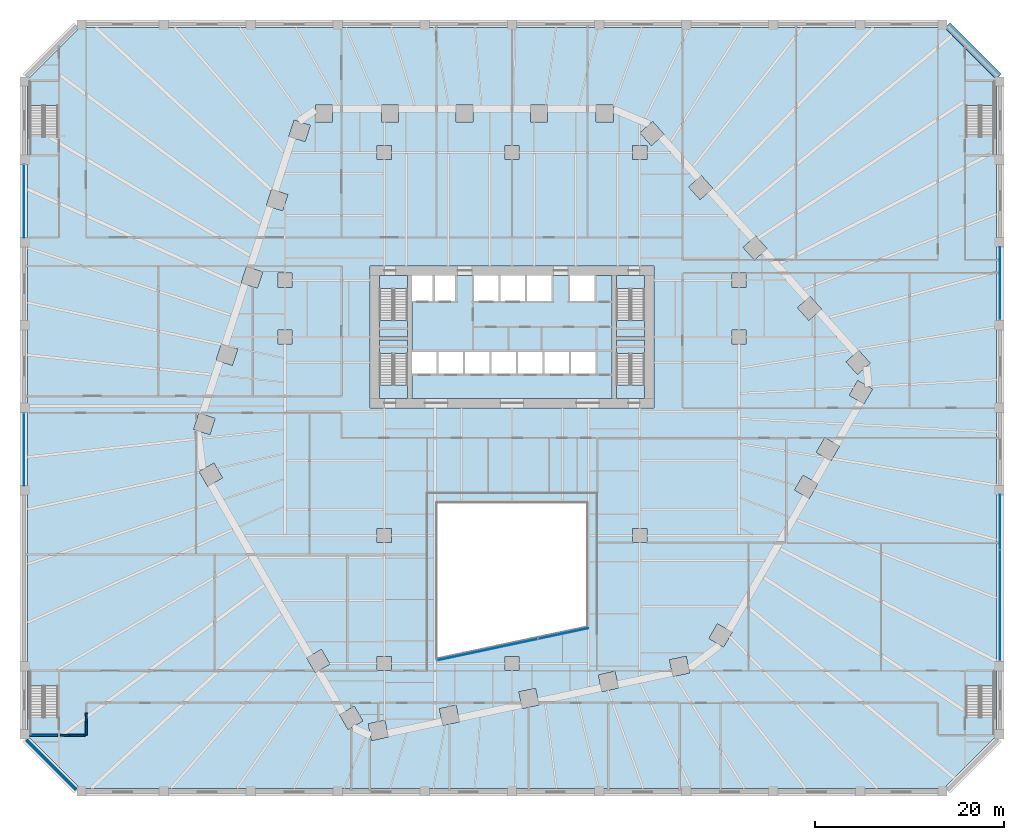
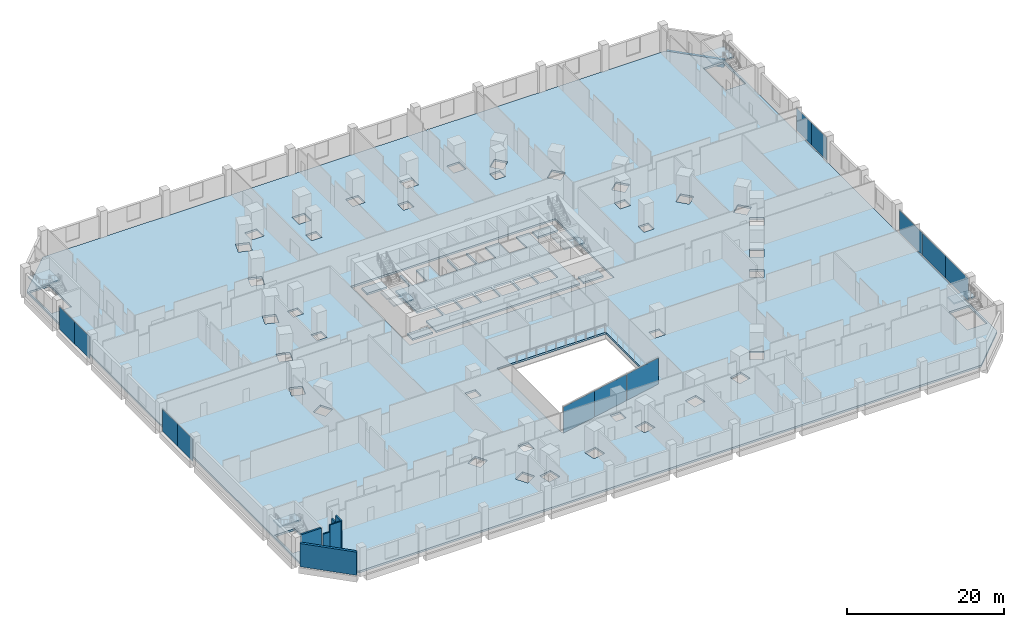
# One storey, part 13 of 29: 14 slabs, 12 plates, 6 walls, 1 beam, 13 elements without a shape of their own.
"""IFC4 building model written with IfcOpenShell, lengths in metres."""

from ifc_helpers import new_model, si_unit, direction, frame, frame_2d, origin, origin_2d, place, context, subcontext, project, spatial, polyline, rectangle, outline, extrude, material, layer, layer_set, material_profile, profile_set, type_object, element, aggregate, save


model = new_model("IFC4")

# Units and contexts
model_context = context("Model", 3, precision=1e-05, world=origin(), true_north=direction((0.0, 1.0)))
body_context = subcontext(model_context, "Body", "Model", "MODEL_VIEW")
ifc_project = project(units=[si_unit("LENGTHUNIT", "METRE"), si_unit("AREAUNIT", "SQUARE_METRE"), si_unit("VOLUMEUNIT", "CUBIC_METRE"), si_unit("PLANEANGLEUNIT", "RADIAN"), si_unit("MASSUNIT", "GRAM", prefix="KILO")], contexts=[model_context])

# Site, building, storey
site_placement = place(None, origin())
site = spatial("IfcSite", under=ifc_project, at=site_placement, CompositionType="ELEMENT")
building_placement = place(site_placement, origin())
building = spatial("IfcBuilding", under=site, at=building_placement, Name="Isthmus Gate Tower", CompositionType="ELEMENT")
storey_placement = place(building_placement, frame((0.0, 0.0, 27.0)))
storey = spatial("IfcBuildingStorey", under=building, at=storey_placement, Name="L04", CompositionType="ELEMENT", Elevation=27.0)

# Beam
ifc_material_1 = material(Name="Concrete f'c 70 MPa", Category="concrete")
ifc_material_profile = material_profile(ifc_material_1, rectangle(XDim=0.800048828125, YDim=0.89990234375, at=origin_2d()), Name="RC 800X900")
ifc_profile_set = profile_set([ifc_material_profile], Name="Concrete f'c 70 MPa")
beam_type = type_object("IfcBeamType", Name="RC EDGE BEAM 800 X 900", PredefinedType="BEAM", material=ifc_profile_set)
beam_placement = place(storey_placement, frame((46.0, 40.434326171875, -0.75), z_axis=(0.707106781187, -0.707106781187, 0.0), x_axis=(0.707106781187, 0.707106781187, 0.0)))
element("IfcBeam", 1, at=beam_placement, inside=storey, type_object=beam_type, Name="str-edgebeam-L04-19", PredefinedType="BEAM", context=body_context, shape_type="SweptSolid", body=[
    extrude(rectangle(XDim=0.800048828125, YDim=0.89990234375, at=origin_2d()), origin(), (0.0, 0.0, 1.0), 7.685302734375),
])

# Slabs
ifc_material_2 = material(Name="Concrete f'c 40 MPa", Category="concrete")
ifc_layer_1 = layer(ifc_material_2, 0.300048828125)
ifc_layer_set_1 = layer_set([ifc_layer_1], Name="CORE FLOOR SLAB 300")
slab_type_1 = type_object("IfcSlabType", Name="CORE FLOOR SLAB 300", PredefinedType="FLOOR", material=ifc_layer_set_1)
slab_1_placement = place(storey_placement, frame((0.0, 0.0, -0.300048828125)))
element("IfcSlab", 2, at=slab_1_placement, inside=storey, type_object=slab_type_1, Name="L04 core floor", PredefinedType="FLOOR", context=body_context, shape_type="SweptSolid", body=[
    extrude(outline(polyline([(-11.050048828125, 1.0), (-11.050048828125, 2.402099609375), (-14.0, 2.402099609375), (-14.0, 1.0), (-11.050048828125, 1.0)])), origin(), (0.0, 0.0, 1.0), 0.300048828125),
])
slab_2_placement = place(storey_placement, frame((0.0, 0.0, -0.300048828125)))
element("IfcSlab", 3, at=slab_2_placement, inside=storey, type_object=slab_type_1, Name="L04 core floor", PredefinedType="FLOOR", context=body_context, shape_type="SweptSolid", body=[
    extrude(outline(polyline([(-14.0, 14.0), (-14.0, 12.597900390625), (-11.050048828125, 12.597900390625), (-11.050048828125, 14.0), (-14.0, 14.0)])), origin(), (0.0, 0.0, 1.0), 0.300048828125),
])
slab_3_placement = place(storey_placement, frame((0.0, 0.0, -0.300048828125)))
element("IfcSlab", 4, at=slab_3_placement, inside=storey, type_object=slab_type_1, Name="L04 core floor", PredefinedType="FLOOR", context=body_context, shape_type="SweptSolid", body=[
    extrude(outline(polyline([(10.550048828125, 14.0), (8.699951171875, 14.0), (8.699951171875, 11.300048828125), (6.14990234375, 11.300048828125), (6.14990234375, 14.0), (4.14990234375, 14.0), (4.14990234375, 11.300048828125), (1.60009765625, 11.300048828125), (1.60009765625, 14.0), (1.35009765625, 14.0), (1.35009765625, 11.300048828125), (-1.199951171875, 11.300048828125), (-1.199951171875, 14.0), (-1.449951171875, 14.0), (-1.449951171875, 11.300048828125), (-4.0, 11.300048828125), (-4.0, 14.0), (-6.0, 14.0), (-6.0, 11.300048828125), (-8.14990234375, 11.300048828125), (-8.14990234375, 14.0), (-8.39990234375, 14.0), (-8.39990234375, 11.300048828125), (-10.550048828125, 11.300048828125), (-10.550048828125, 5.89990234375), (-8.0, 5.89990234375), (-8.0, 3.60009765625), (-10.550048828125, 3.60009765625), (-10.550048828125, 1.0), (10.550048828125, 1.0), (10.550048828125, 14.0)]), holes=[polyline([(-5.199951171875, 5.89990234375), (-5.199951171875, 3.60009765625), (-7.75, 3.60009765625), (-7.75, 5.89990234375), (-5.199951171875, 5.89990234375)]), polyline([(-2.39990234375, 5.89990234375), (-2.39990234375, 3.60009765625), (-4.949951171875, 3.60009765625), (-4.949951171875, 5.89990234375), (-2.39990234375, 5.89990234375)]), polyline([(0.39990234375, 5.89990234375), (0.39990234375, 3.60009765625), (-2.14990234375, 3.60009765625), (-2.14990234375, 5.89990234375), (0.39990234375, 5.89990234375)]), polyline([(3.199951171875, 5.89990234375), (3.199951171875, 3.60009765625), (0.64990234375, 3.60009765625), (0.64990234375, 5.89990234375), (3.199951171875, 5.89990234375)]), polyline([(6.0, 5.89990234375), (6.0, 3.60009765625), (3.449951171875, 3.60009765625), (3.449951171875, 5.89990234375), (6.0, 5.89990234375)]), polyline([(8.800048828125, 5.89990234375), (8.800048828125, 3.60009765625), (6.25, 3.60009765625), (6.25, 5.89990234375), (8.800048828125, 5.89990234375)])]), origin(), (0.0, 0.0, 1.0), 0.300048828125),
])
slab_4_placement = place(storey_placement, frame((0.0, 0.0, -0.300048828125)))
element("IfcSlab", 5, at=slab_4_placement, inside=storey, type_object=slab_type_1, Name="L04 core floor", PredefinedType="FLOOR", context=body_context, shape_type="SweptSolid", body=[
    extrude(outline(polyline([(14.0, 1.0), (14.0, 2.402099609375), (11.050048828125, 2.402099609375), (11.050048828125, 1.0), (14.0, 1.0)])), origin(), (0.0, 0.0, 1.0), 0.300048828125),
])
slab_5_placement = place(storey_placement, frame((0.0, 0.0, -0.300048828125)))
element("IfcSlab", 6, at=slab_5_placement, inside=storey, type_object=slab_type_1, Name="L04 core floor", PredefinedType="FLOOR", context=body_context, shape_type="SweptSolid", body=[
    extrude(outline(polyline([(11.050048828125, 14.0), (11.050048828125, 12.597900390625), (14.0, 12.597900390625), (14.0, 14.0), (11.050048828125, 14.0)])), origin(), (0.0, 0.0, 1.0), 0.300048828125),
])

# Curtain wall, plates
ifc_material_3 = material(Name="Aluminium, pale champagne anodised", Category="aluminium")
ifc_layer_2 = layer(ifc_material_3, 0.14990234375)
ifc_layer_set_2 = layer_set([ifc_layer_2], Name="CW-3 STOREFRONT CURTAIN WALL 150 DEEP")
curtain_wall_type_1 = type_object("IfcCurtainWallType", Name="CW-3 STOREFRONT CURTAIN WALL 150 DEEP", PredefinedType="NOTDEFINED", material=ifc_layer_set_2)
curtain_wall_1_placement = place(storey_placement, origin())
curtain_wall_1 = element("IfcCurtainWall", 7, at=curtain_wall_1_placement, inside=storey, type_object=curtain_wall_type_1, Name="CW-3 E L04", PredefinedType="NOTDEFINED")
ifc_material_4 = material(Name="Laminated low-iron glass, clear", Category="glass")
ifc_layer_3 = layer(ifc_material_4, 0.028076171875)
ifc_layer_set_3 = layer_set([ifc_layer_3], Name="CW-3 CLEAR GLASS LITE 28")
plate_type_1 = type_object("IfcPlateType", Name="CW-3 CLEAR GLASS LITE 28", PredefinedType="CURTAIN_PANEL", material=ifc_layer_set_3)
plate_1_placement = place(storey_placement, frame((51.574951171875, -23.836669921875, -0.300048828125), z_axis=(0.0, 0.0, 1.0), x_axis=(0.0, 1.0, 0.0)))
plate_1 = element("IfcPlate", 8, at=plate_1_placement, type_object=plate_type_1, Name="CW-3 glass lite", PredefinedType="CURTAIN_PANEL", context=body_context, shape_type="SweptSolid", body=[
    extrude(rectangle(XDim=5.806640625, YDim=0.028076171875, at=origin_2d()), origin(), (0.0, 0.0, 1.0), 3.47998046875),
])
plate_2_placement = place(storey_placement, frame((51.574951171875, -18.0, -0.300048828125), z_axis=(0.0, 0.0, 1.0), x_axis=(0.0, 1.0, 0.0)))
plate_2 = element("IfcPlate", 9, at=plate_2_placement, type_object=plate_type_1, Name="CW-3 glass lite", PredefinedType="CURTAIN_PANEL", context=body_context, shape_type="SweptSolid", body=[
    extrude(rectangle(XDim=5.86669921875, YDim=0.028076171875, at=origin_2d()), origin(), (0.0, 0.0, 1.0), 3.47998046875),
])
plate_3_placement = place(storey_placement, frame((51.574951171875, -12.103271484375, -0.300048828125), z_axis=(0.0, 0.0, 1.0), x_axis=(0.0, 1.0, 0.0)))
plate_3 = element("IfcPlate", 10, at=plate_3_placement, type_object=plate_type_1, Name="CW-3 glass lite", PredefinedType="CURTAIN_PANEL", context=body_context, shape_type="SweptSolid", body=[
    extrude(rectangle(XDim=5.806640625, YDim=0.028076171875, at=origin_2d()), origin(), (0.0, 0.0, 1.0), 3.47998046875),
])
aggregate(curtain_wall_1, [plate_1, plate_2, plate_3])

curtain_wall_2_placement = place(storey_placement, origin())
curtain_wall_2 = element("IfcCurtainWall", 11, at=curtain_wall_2_placement, inside=storey, type_object=curtain_wall_type_1, Name="CW-3 E L04", PredefinedType="NOTDEFINED")
plate_4_placement = place(storey_placement, frame((51.574951171875, 11.217529296875, -0.300048828125), z_axis=(0.0, 0.0, 1.0), x_axis=(0.0, 1.0, 0.0)))
plate_4 = element("IfcPlate", 12, at=plate_4_placement, type_object=plate_type_1, Name="CW-3 glass lite", PredefinedType="CURTAIN_PANEL", context=body_context, shape_type="SweptSolid", body=[
    extrude(rectangle(XDim=3.81494140625, YDim=0.028076171875, at=origin_2d()), origin(), (0.0, 0.0, 1.0), 3.47998046875),
])
plate_5_placement = place(storey_placement, frame((51.574951171875, 15.0625, -0.300048828125), z_axis=(0.0, 0.0, 1.0), x_axis=(0.0, 1.0, 0.0)))
plate_5 = element("IfcPlate", 13, at=plate_5_placement, type_object=plate_type_1, Name="CW-3 glass lite", PredefinedType="CURTAIN_PANEL", context=body_context, shape_type="SweptSolid", body=[
    extrude(rectangle(XDim=3.875, YDim=0.028076171875, at=origin_2d()), origin(), (0.0, 0.0, 1.0), 3.47998046875),
])
aggregate(curtain_wall_2, [plate_4, plate_5])

curtain_wall_3_placement = place(storey_placement, origin())
curtain_wall_3 = element("IfcCurtainWall", 14, at=curtain_wall_3_placement, inside=storey, type_object=curtain_wall_type_1, Name="CW-3 W L04", PredefinedType="NOTDEFINED")
plate_6_placement = place(storey_placement, frame((-51.574951171875, 23.782470703125, -0.300048828125), z_axis=(0.0, 0.0, 1.0), x_axis=(0.0, -1.0, 0.0)))
plate_6 = element("IfcPlate", 15, at=plate_6_placement, type_object=plate_type_1, Name="CW-3 glass lite", PredefinedType="CURTAIN_PANEL", context=body_context, shape_type="SweptSolid", body=[
    extrude(rectangle(XDim=3.81494140625, YDim=0.028076171875, at=origin_2d()), origin(), (0.0, 0.0, 1.0), 3.47998046875),
])
plate_7_placement = place(storey_placement, frame((-51.574951171875, 19.9375, -0.300048828125), z_axis=(0.0, 0.0, 1.0), x_axis=(0.0, -1.0, 0.0)))
plate_7 = element("IfcPlate", 16, at=plate_7_placement, type_object=plate_type_1, Name="CW-3 glass lite", PredefinedType="CURTAIN_PANEL", context=body_context, shape_type="SweptSolid", body=[
    extrude(rectangle(XDim=3.875, YDim=0.028076171875, at=origin_2d()), origin(), (0.0, 0.0, 1.0), 3.47998046875),
])
aggregate(curtain_wall_3, [plate_6, plate_7])

curtain_wall_4_placement = place(storey_placement, origin())
curtain_wall_4 = element("IfcCurtainWall", 17, at=curtain_wall_4_placement, inside=storey, type_object=curtain_wall_type_1, Name="CW-3 W L04", PredefinedType="NOTDEFINED")
plate_8_placement = place(storey_placement, frame((-51.574951171875, -2.455078125, -0.300048828125), z_axis=(0.0, 0.0, 1.0), x_axis=(0.0, -1.0, 0.0)))
plate_8 = element("IfcPlate", 18, at=plate_8_placement, type_object=plate_type_1, Name="CW-3 glass lite", PredefinedType="CURTAIN_PANEL", context=body_context, shape_type="SweptSolid", body=[
    extrude(rectangle(XDim=3.7900390625, YDim=0.028076171875, at=origin_2d()), origin(), (0.0, 0.0, 1.0), 3.47998046875),
])
plate_9_placement = place(storey_placement, frame((-51.574951171875, -6.27490234375, -0.300048828125), z_axis=(0.0, 0.0, 1.0), x_axis=(0.0, -1.0, 0.0)))
plate_9 = element("IfcPlate", 19, at=plate_9_placement, type_object=plate_type_1, Name="CW-3 glass lite", PredefinedType="CURTAIN_PANEL", context=body_context, shape_type="SweptSolid", body=[
    extrude(rectangle(XDim=3.85009765625, YDim=0.028076171875, at=origin_2d()), origin(), (0.0, 0.0, 1.0), 3.47998046875),
])
aggregate(curtain_wall_4, [plate_8, plate_9])

ifc_material_5 = material(Name="Aluminium, pale champagne anodised", Category="aluminium")
ifc_layer_4 = layer(ifc_material_5, 0.199951171875)
ifc_layer_set_4 = layer_set([ifc_layer_4], Name="CW-4 ATRIUM CURTAIN WALL 200 DEEP")
curtain_wall_type_2 = type_object("IfcCurtainWallType", Name="CW-4 ATRIUM CURTAIN WALL 200 DEEP", PredefinedType="NOTDEFINED", material=ifc_layer_set_4)
curtain_wall_5_placement = place(storey_placement, origin())
curtain_wall_5 = element("IfcCurtainWall", 20, at=curtain_wall_5_placement, inside=storey, type_object=curtain_wall_type_2, Name="CW-4 atrium south L04", PredefinedType="NOTDEFINED")
ifc_material_6 = material(Name="Laminated low-iron glass, clear", Category="glass")
ifc_layer_5 = layer(ifc_material_6, 0.0439453125)
ifc_layer_set_5 = layer_set([ifc_layer_5], Name="CW-4 ATRIUM GLASS PANEL 44")
plate_type_2 = type_object("IfcPlateType", Name="CW-4 ATRIUM GLASS PANEL 44", PredefinedType="CURTAIN_PANEL", material=ifc_layer_set_5)
plate_10_placement = place(storey_placement, frame((-5.262939453125, -26.11572265625, 0.0), z_axis=(0.0, 0.0, 1.0), x_axis=(0.978147600734, 0.207911690818, 0.0)))
plate_10 = element("IfcPlate", 21, at=plate_10_placement, type_object=plate_type_2, Name="CW-4 louvre panel", PredefinedType="CURTAIN_PANEL", context=body_context, shape_type="SweptSolid", body=[
    extrude(rectangle(XDim=5.37255859375, YDim=0.0439453125, at=origin_2d()), origin(), (0.0, 0.0, 1.0), 4.050048828125),
])
plate_11_placement = place(storey_placement, frame((0.03125, -24.990234375, 0.0), z_axis=(0.0, 0.0, 1.0), x_axis=(0.978147600734, 0.207911690818, 0.0)))
plate_11 = element("IfcPlate", 22, at=plate_11_placement, type_object=plate_type_2, Name="CW-4 louvre panel", PredefinedType="CURTAIN_PANEL", context=body_context, shape_type="SweptSolid", body=[
    extrude(rectangle(XDim=5.452392578125, YDim=0.0439453125, at=origin_2d()), origin(), (0.0, 0.0, 1.0), 4.050048828125),
])
plate_12_placement = place(storey_placement, frame((5.403564453125, -23.848388671875, 0.0), z_axis=(0.0, 0.0, 1.0), x_axis=(0.978147600734, 0.207911690818, 0.0)))
plate_12 = element("IfcPlate", 23, at=plate_12_placement, type_object=plate_type_2, Name="CW-4 louvre panel", PredefinedType="CURTAIN_PANEL", context=body_context, shape_type="SweptSolid", body=[
    extrude(rectangle(XDim=5.37255859375, YDim=0.0439453125, at=origin_2d()), origin(), (0.0, 0.0, 1.0), 4.050048828125),
])
aggregate(curtain_wall_5, [plate_10, plate_11, plate_12])

# Slab
ifc_material_7 = material(Name="Concrete f'c 40 MPa", Category="concrete")
ifc_layer_6 = layer(ifc_material_7, 0.300048828125)
ifc_layer_set_6 = layer_set([ifc_layer_6], Name="PODIUM FLOOR SLAB 300")
slab_type_2 = type_object("IfcSlabType", Name="PODIUM FLOOR SLAB 300", PredefinedType="FLOOR", material=ifc_layer_set_6)
slab_6_placement = place(storey_placement, frame((0.0, 0.0, -0.300048828125)))
element("IfcSlab", 24, at=slab_6_placement, inside=storey, type_object=slab_type_2, Name="str-slab-L04-1", PredefinedType="FLOOR", context=body_context, shape_type="SweptSolid", body=[
    extrude(outline(polyline([(-51.199951171875, -34.668701171875), (-51.199951171875, 34.668701171875), (-45.668701171875, 40.199951171875), (45.668701171875, 40.199951171875), (51.199951171875, 34.668701171875), (51.199951171875, -34.668701171875), (45.668701171875, -40.199951171875), (-45.668701171875, -40.199951171875), (-51.199951171875, -34.668701171875)]), holes=[polyline([(-13.06494140625, -34.777099609375), (-13.439208984375, -33.016357421875), (-15.19970703125, -33.390625), (-14.82568359375, -35.1513671875), (-13.06494140625, -34.777099609375)]), polyline([(-17.32470703125, -33.99267578125), (-15.765869140625, -33.0927734375), (-16.666015625, -31.533935546875), (-18.224609375, -32.433837890625), (-17.32470703125, -33.99267578125)]), polyline([(-48.0, -32.52490234375), (-48.0, -27.928955078125), (-50.949951171875, -27.928955078125), (-50.949951171875, -32.52490234375), (-48.0, -32.52490234375)]), polyline([(-21.696533203125, -26.420654296875), (-20.79638671875, -27.9794921875), (-19.237548828125, -27.079345703125), (-20.1376953125, -25.5205078125), (-21.696533203125, -26.420654296875)]), polyline([(-31.5048828125, -5.831787109375), (-33.063720703125, -6.73193359375), (-32.163818359375, -8.290771484375), (-30.60498046875, -7.390869140625), (-31.5048828125, -5.831787109375)]), polyline([(-33.08984375, -0.548828125), (-33.64599609375, -2.2607421875), (-31.93408203125, -2.817138671875), (-31.3779296875, -1.105224609375), (-33.08984375, -0.548828125)]), polyline([(-30.7138671875, 6.76416015625), (-31.27001953125, 5.052001953125), (-29.55810546875, 4.495849609375), (-29.001953125, 6.207763671875), (-30.7138671875, 6.76416015625)]), polyline([(-24.75, 8.25), (-24.75, 6.75), (-23.25, 6.75), (-23.25, 8.25), (-24.75, 8.25)]), polyline([(-24.75, 12.75), (-23.25, 12.75), (-23.25, 14.25), (-24.75, 14.25), (-24.75, 12.75)]), polyline([(-26.34765625, 14.376708984375), (-28.0595703125, 14.93310546875), (-28.61572265625, 13.22119140625), (-26.90380859375, 12.664794921875), (-26.34765625, 14.376708984375)]), polyline([(-23.693359375, 22.545654296875), (-25.4052734375, 23.10205078125), (-25.96142578125, 21.389892578125), (-24.24951171875, 20.833740234375), (-23.693359375, 22.545654296875)]), polyline([(-14.25, 26.25), (-12.75, 26.25), (-12.75, 27.75), (-14.25, 27.75), (-14.25, 26.25)]), polyline([(-23.585205078125, 28.702880859375), (-21.873291015625, 28.146728515625), (-21.317138671875, 29.858642578125), (-23.029052734375, 30.4150390625), (-23.585205078125, 28.702880859375)]), polyline([(-20.776123046875, 32.0), (-20.776123046875, 30.199951171875), (-18.976318359375, 30.199951171875), (-18.976318359375, 32.0), (-20.776123046875, 32.0)]), polyline([(-50.949951171875, 28.824951171875), (-48.0, 28.824951171875), (-48.0, 34.425048828125), (-50.949951171875, 34.425048828125), (-50.949951171875, 28.824951171875)]), polyline([(-7.30419921875, -33.552490234375), (-5.543701171875, -33.17822265625), (-5.917724609375, -31.417724609375), (-7.678466796875, -31.7919921875), (-7.30419921875, -33.552490234375)]), polyline([(2.858154296875, -31.392578125), (2.48388671875, -29.6318359375), (0.72314453125, -30.006103515625), (1.097412109375, -31.7666015625), (2.858154296875, -31.392578125)]), polyline([(9.4990234375, -29.98095703125), (11.259765625, -29.606689453125), (10.885498046875, -27.845947265625), (9.124755859375, -28.22021484375), (9.4990234375, -29.98095703125)]), polyline([(-14.25, -26.25), (-14.25, -27.75), (-12.75, -27.75), (-12.75, -26.25), (-14.25, -26.25)]), polyline([(-0.75, -27.75), (0.75, -27.75), (0.75, -26.25), (-0.75, -26.25), (-0.75, -27.75)]), polyline([(-8.0, -10.0), (-8.0, -26.544189453125), (8.0, -23.143310546875), (8.0, -10.0), (-8.0, -10.0)]), polyline([(-14.25, -12.75), (-14.25, -14.25), (-12.75, -14.25), (-12.75, -12.75), (-14.25, -12.75)]), polyline([(12.75, -14.25), (14.25, -14.25), (14.25, -12.75), (12.75, -12.75), (12.75, -14.25)]), polyline([(15.0, 0.0), (15.0, 15.0), (-15.0, 15.0), (-15.0, 0.0), (15.0, 0.0)]), polyline([(-0.75, 26.25), (0.75, 26.25), (0.75, 27.75), (-0.75, 27.75), (-0.75, 26.25)]), polyline([(12.75, 27.75), (12.75, 26.25), (14.25, 26.25), (14.25, 27.75), (12.75, 27.75)]), polyline([(-12.006591796875, 30.199951171875), (-12.006591796875, 32.0), (-13.806640625, 32.0), (-13.806640625, 30.199951171875), (-12.006591796875, 30.199951171875)]), polyline([(-4.13720703125, 32.0), (-5.937255859375, 32.0), (-5.937255859375, 30.199951171875), (-4.13720703125, 30.199951171875), (-4.13720703125, 32.0)]), polyline([(3.732421875, 30.199951171875), (3.732421875, 32.0), (1.932373046875, 32.0), (1.932373046875, 30.199951171875), (3.732421875, 30.199951171875)]), polyline([(10.701904296875, 30.199951171875), (10.701904296875, 32.0), (8.90185546875, 32.0), (8.90185546875, 30.199951171875), (10.701904296875, 30.199951171875)]), polyline([(50.949951171875, -32.52490234375), (50.949951171875, -27.928955078125), (48.0, -27.928955078125), (48.0, -32.52490234375), (50.949951171875, -32.52490234375)]), polyline([(17.020263671875, -28.382080078125), (18.781005859375, -28.008056640625), (18.40673828125, -26.247314453125), (16.64599609375, -26.62158203125), (17.020263671875, -28.382080078125)]), polyline([(22.36181640625, -25.26806640625), (23.261962890625, -23.709228515625), (21.702880859375, -22.80908203125), (20.802978515625, -24.3681640625), (22.36181640625, -25.26806640625)]), polyline([(32.319580078125, -8.0205078125), (30.760986328125, -7.12060546875), (29.86083984375, -8.679443359375), (31.419677734375, -9.579345703125), (32.319580078125, -8.0205078125)]), polyline([(34.6162109375, -4.04296875), (33.057373046875, -3.14306640625), (32.1572265625, -4.701904296875), (33.71630859375, -5.601806640625), (34.6162109375, -4.04296875)]), polyline([(37.200927734375, 0.433837890625), (38.100830078125, 1.99267578125), (36.5419921875, 2.892578125), (35.64208984375, 1.333984375), (37.200927734375, 0.433837890625)]), polyline([(36.51708984375, 3.531982421875), (37.854736328125, 4.736328125), (36.650146484375, 6.073974609375), (35.3125, 4.869384765625), (36.51708984375, 3.531982421875)]), polyline([(23.25, 8.25), (23.25, 6.75), (24.75, 6.75), (24.75, 8.25), (23.25, 8.25)]), polyline([(31.505126953125, 11.788330078125), (30.16748046875, 10.583740234375), (31.371826171875, 9.24609375), (32.70947265625, 10.45068359375), (31.505126953125, 11.788330078125)]), polyline([(23.25, 14.25), (23.25, 12.75), (24.75, 12.75), (24.75, 14.25), (23.25, 14.25)]), polyline([(25.62451171875, 15.62939453125), (26.962158203125, 16.833740234375), (25.7578125, 18.17138671875), (24.419921875, 16.967041015625), (25.62451171875, 15.62939453125)]), polyline([(21.214599609375, 23.216796875), (20.01025390625, 24.554443359375), (18.672607421875, 23.35009765625), (19.877197265625, 22.012451171875), (21.214599609375, 23.216796875)]), polyline([(16.069580078125, 28.93115234375), (14.864990234375, 30.268798828125), (13.52734375, 29.064453125), (14.73193359375, 27.726806640625), (16.069580078125, 28.93115234375)]), polyline([(48.0, 28.824951171875), (50.949951171875, 28.824951171875), (50.949951171875, 34.425048828125), (48.0, 34.425048828125), (48.0, 28.824951171875)])]), origin(), (0.0, 0.0, 1.0), 0.300048828125),
])

# Stair, slab
ifc_material_8 = material(Name="Concrete f'c 40 MPa", Category="concrete")
stair_type_1 = type_object("IfcStairType", Name="Podium exit stair 1400 wide flights", PredefinedType="HALF_TURN_STAIR", material=ifc_material_8)
stair_1_placement = place(storey_placement, origin())
stair_1 = element("IfcStair", 25, at=stair_1_placement, inside=storey, type_object=stair_type_1, Name="L04 Podium Exit Stair ST3", PredefinedType="HALF_TURN_STAIR")
ifc_material_9 = material(Name="Concrete f'c 40 MPa", Category="concrete")
ifc_layer_7 = layer(ifc_material_9, 0.199951171875)
ifc_layer_set_7 = layer_set([ifc_layer_7], Name="Podium stair landing 200")
slab_type_3 = type_object("IfcSlabType", Name="Podium stair landing 200", PredefinedType="LANDING", material=ifc_layer_set_7)
slab_7_placement = place(storey_placement, frame((0.0, 0.0, 2.050048828125)))
slab_7 = element("IfcSlab", 26, at=slab_7_placement, type_object=slab_type_3, Name="ST3 landing 1", PredefinedType="LANDING", context=body_context, shape_type="SweptSolid", body=[
    extrude(outline(polyline([(-47.89990234375, -29.364990234375), (-47.89990234375, -27.72900390625), (-51.050048828125, -27.72900390625), (-51.050048828125, -29.364990234375), (-47.89990234375, -29.364990234375)])), origin(), (0.0, 0.0, 1.0), 0.199951171875),
])
aggregate(stair_1, [slab_7])

stair_2_placement = place(storey_placement, origin())
stair_2 = element("IfcStair", 27, at=stair_2_placement, inside=storey, type_object=stair_type_1, Name="L04 Podium Exit Stair ST4", PredefinedType="HALF_TURN_STAIR")
slab_8_placement = place(storey_placement, frame((0.0, 0.0, 2.050048828125)))
slab_8 = element("IfcSlab", 28, at=slab_8_placement, type_object=slab_type_3, Name="ST4 landing 1", PredefinedType="LANDING", context=body_context, shape_type="SweptSolid", body=[
    extrude(outline(polyline([(51.050048828125, -29.364990234375), (51.050048828125, -27.72900390625), (47.89990234375, -27.72900390625), (47.89990234375, -29.364990234375), (51.050048828125, -29.364990234375)])), origin(), (0.0, 0.0, 1.0), 0.199951171875),
])
aggregate(stair_2, [slab_8])

stair_3_placement = place(storey_placement, origin())
stair_3 = element("IfcStair", 29, at=stair_3_placement, inside=storey, type_object=stair_type_1, Name="L04 Podium Exit Stair ST5", PredefinedType="HALF_TURN_STAIR")
slab_9_placement = place(storey_placement, frame((0.0, 0.0, 2.050048828125)))
slab_9 = element("IfcSlab", 30, at=slab_9_placement, type_object=slab_type_3, Name="ST5 landing 1", PredefinedType="LANDING", context=body_context, shape_type="SweptSolid", body=[
    extrude(outline(polyline([(51.050048828125, 31.985107421875), (51.050048828125, 34.625), (47.89990234375, 34.625), (47.89990234375, 31.985107421875), (51.050048828125, 31.985107421875)])), origin(), (0.0, 0.0, 1.0), 0.199951171875),
])
aggregate(stair_3, [slab_9])

stair_4_placement = place(storey_placement, origin())
stair_4 = element("IfcStair", 31, at=stair_4_placement, inside=storey, type_object=stair_type_1, Name="L04 Podium Exit Stair ST6", PredefinedType="HALF_TURN_STAIR")
slab_10_placement = place(storey_placement, frame((0.0, 0.0, 2.050048828125)))
slab_10 = element("IfcSlab", 32, at=slab_10_placement, type_object=slab_type_3, Name="ST6 landing 1", PredefinedType="LANDING", context=body_context, shape_type="SweptSolid", body=[
    extrude(outline(polyline([(-47.89990234375, 31.985107421875), (-47.89990234375, 34.625), (-51.050048828125, 34.625), (-51.050048828125, 31.985107421875), (-47.89990234375, 31.985107421875)])), origin(), (0.0, 0.0, 1.0), 0.199951171875),
])
aggregate(stair_4, [slab_10])

ifc_material_10 = material(Name="Concrete f'c 40 MPa", Category="concrete")
stair_type_2 = type_object("IfcStairType", Name="CORE STAIR 26 RISERS", PredefinedType="HALF_TURN_STAIR", material=ifc_material_10)
stair_5_placement = place(storey_placement, origin())
stair_5 = element("IfcStair", 33, at=stair_5_placement, inside=storey, type_object=stair_type_2, Name="L04 Exit Stair 1", PredefinedType="HALF_TURN_STAIR")
ifc_material_11 = material(Name="Concrete f'c 40 MPa", Category="concrete")
ifc_layer_8 = layer(ifc_material_11, 0.199951171875)
ifc_layer_set_8 = layer_set([ifc_layer_8])
slab_type_4 = type_object("IfcSlabType", Name="STAIR LANDING RC 200", PredefinedType="LANDING", material=ifc_layer_set_8)
slab_11_placement = place(storey_placement, frame((0.0, 0.0, 2.050048828125)))
slab_11 = element("IfcSlab", 34, at=slab_11_placement, type_object=slab_type_4, Name="ST1 landing 1", PredefinedType="LANDING", context=body_context, shape_type="SweptSolid", body=[
    extrude(outline(polyline([(-14.0, 9.239990234375), (-14.0, 7.5), (-11.050048828125, 7.5), (-11.050048828125, 9.239990234375), (-14.0, 9.239990234375)])), origin(), (0.0, 0.0, 1.0), 0.199951171875),
])
aggregate(stair_5, [slab_11])

stair_6_placement = place(storey_placement, origin())
stair_6 = element("IfcStair", 35, at=stair_6_placement, inside=storey, type_object=stair_type_2, Name="L04 Exit Stair 2", PredefinedType="HALF_TURN_STAIR")
slab_12_placement = place(storey_placement, frame((0.0, 0.0, 2.050048828125)))
slab_12 = element("IfcSlab", 36, at=slab_12_placement, type_object=slab_type_4, Name="ST2 landing 1", PredefinedType="LANDING", context=body_context, shape_type="SweptSolid", body=[
    extrude(outline(polyline([(11.050048828125, 9.239990234375), (11.050048828125, 7.5), (14.0, 7.5), (14.0, 9.239990234375), (11.050048828125, 9.239990234375)])), origin(), (0.0, 0.0, 1.0), 0.199951171875),
])
aggregate(stair_6, [slab_12])

stair_7_placement = place(storey_placement, origin())
stair_7 = element("IfcStair", 37, at=stair_7_placement, inside=storey, type_object=stair_type_2, Name="L04 Exit Stair 7", PredefinedType="HALF_TURN_STAIR")
slab_13_placement = place(storey_placement, frame((0.0, 0.0, 2.050048828125)))
slab_13 = element("IfcSlab", 38, at=slab_13_placement, type_object=slab_type_4, Name="ST7 landing 1", PredefinedType="LANDING", context=body_context, shape_type="SweptSolid", body=[
    extrude(outline(polyline([(-11.050048828125, 5.760009765625), (-11.050048828125, 7.199951171875), (-14.0, 7.199951171875), (-14.0, 5.760009765625), (-11.050048828125, 5.760009765625)])), origin(), (0.0, 0.0, 1.0), 0.199951171875),
])
aggregate(stair_7, [slab_13])

stair_8_placement = place(storey_placement, origin())
stair_8 = element("IfcStair", 39, at=stair_8_placement, inside=storey, type_object=stair_type_2, Name="L04 Exit Stair 8", PredefinedType="HALF_TURN_STAIR")
slab_14_placement = place(storey_placement, frame((0.0, 0.0, 2.050048828125)))
slab_14 = element("IfcSlab", 40, at=slab_14_placement, type_object=slab_type_4, Name="ST8 landing 1", PredefinedType="LANDING", context=body_context, shape_type="SweptSolid", body=[
    extrude(outline(polyline([(14.0, 5.760009765625), (14.0, 7.199951171875), (11.050048828125, 7.199951171875), (11.050048828125, 5.760009765625), (14.0, 5.760009765625)])), origin(), (0.0, 0.0, 1.0), 0.199951171875),
])
aggregate(stair_8, [slab_14])

# Walls
ifc_material_12 = material(Name="Concrete f'c 30 MPa", Category="concrete")
ifc_layer_9 = layer(ifc_material_12, 0.199951171875)
ifc_layer_set_9 = layer_set([ifc_layer_9], Name="Fire-rated block wall 200")
wall_type_1 = type_object("IfcWallType", Name="Fire-rated block wall 200", PredefinedType="PARTITIONING", material=ifc_layer_set_9)
wall_1_placement = place(storey_placement, frame((-47.75, -34.60009765625, 0.0), z_axis=(0.0, 0.0, 1.0), x_axis=(1.0, 0.0, 0.0)))
element("IfcWall", 41, at=wall_1_placement, inside=storey, type_object=wall_type_1, Name="Fire-rated wall", PredefinedType="PARTITIONING", context=body_context, shape_type="SweptSolid", body=[
    extrude(rectangle(XDim=1.0, YDim=0.199951171875, at=frame_2d((0.5, 0.0))), origin(), (0.0, 0.0, 1.0), 3.111083984375),
])
wall_2_placement = place(storey_placement, frame((-46.75, -34.60009765625, 0.0), z_axis=(0.0, 0.0, 1.0), x_axis=(1.0, 0.0, 0.0)))
element("IfcWall", 42, at=wall_2_placement, inside=storey, type_object=wall_type_1, Name="Fire-rated wall", PredefinedType="PARTITIONING", context=body_context, shape_type="SweptSolid", body=[
    extrude(rectangle(XDim=1.64990234375, YDim=0.199951171875, at=frame_2d((0.824951171875, 0.0))), origin(), (0.0, 0.0, 1.0), 4.199951171875),
])
wall_3_placement = place(storey_placement, frame((-45.0, -34.60009765625, 0.0), z_axis=(0.0, 0.0, 1.0), x_axis=(0.0, 1.0, 0.0)))
element("IfcWall", 43, at=wall_3_placement, inside=storey, type_object=wall_type_1, Name="Fire-rated wall", PredefinedType="PARTITIONING", context=body_context, shape_type="SweptSolid", body=[
    extrude(rectangle(XDim=1.3994140625, YDim=0.199951171875, at=frame_2d((0.69970703125, 0.0))), origin(), (0.0, 0.0, 1.0), 4.199951171875),
])
wall_4_placement = place(storey_placement, frame((-45.0, -33.20068359375, 0.0), z_axis=(0.0, 0.0, 1.0), x_axis=(0.0, 1.0, 0.0)))
element("IfcWall", 44, at=wall_4_placement, inside=storey, type_object=wall_type_1, Name="Fire-rated wall", PredefinedType="PARTITIONING", context=body_context, shape_type="SweptSolid", body=[
    extrude(rectangle(XDim=1.0, YDim=0.199951171875, at=frame_2d((0.5, 0.0))), origin(), (0.0, 0.0, 1.0), 3.111083984375),
])
ifc_material_13 = material(Name="Precast concrete C40/50, limestone-faced", Category="masonry")
ifc_layer_10 = layer(ifc_material_13, 0.35009765625)
ifc_layer_set_10 = layer_set([ifc_layer_10], Name="PODIUM CLADDING WALL 350")
wall_type_2 = type_object("IfcWallType", Name="PODIUM CLADDING WALL 350", PredefinedType="SOLIDWALL", material=ifc_layer_set_10)
wall_5_placement = place(storey_placement, frame((-51.327392578125, -35.071533203125, -0.300048828125), z_axis=(0.0, 0.0, 1.0), x_axis=(0.707106781187, -0.707106781187, 0.0)))
element("IfcWall", 45, at=wall_5_placement, inside=storey, type_object=wall_type_2, Name="PODIUM WALL", PredefinedType="SOLIDWALL", context=body_context, shape_type="SweptSolid", body=[
    extrude(rectangle(XDim=7.432861328125, YDim=0.35009765625, at=frame_2d((3.71630859375, 0.0))), origin(), (0.0, 0.0, 1.0), 3.60009765625),
])
ifc_material_14 = material(Name="Concrete f'c 40 MPa", Category="concrete")
ifc_layer_11 = layer(ifc_material_14, 0.25)
ifc_layer_set_11 = layer_set([ifc_layer_11])
wall_type_3 = type_object("IfcWallType", Name="Stair shaft wall 250 reinforced concrete", PredefinedType="SHEAR", material=ifc_layer_set_11)
wall_6_placement = place(storey_placement, frame((-51.0, -34.60009765625, 0.0), z_axis=(0.0, 0.0, 1.0), x_axis=(1.0, 0.0, 0.0)))
element("IfcWall", 46, at=wall_6_placement, inside=storey, type_object=wall_type_3, Name="Stair shaft wall", PredefinedType="SHEAR", context=body_context, shape_type="SweptSolid", body=[
    extrude(rectangle(XDim=3.0, YDim=0.25, at=frame_2d((1.5, 0.0))), origin(), (0.0, 0.0, 1.0), 4.199951171875),
])

save(model, "model.ifc")
